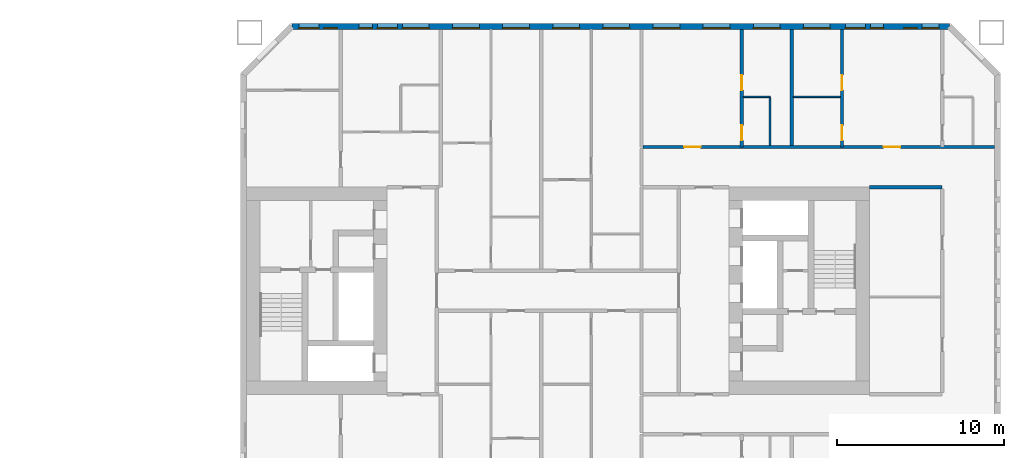
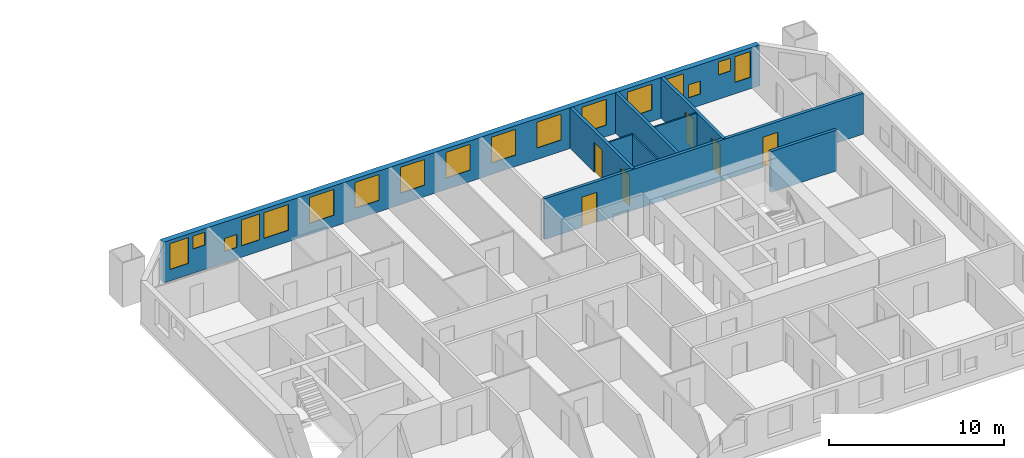
# One storey, part 14 of 17: 17 windows, 9 walls, 6 doors, 23 openings.
"""IFC4 building model written with IfcOpenShell, lengths in metres."""

import ifcopenshell
import ifcopenshell.guid

model = None  # the IFC model being written
_history = None  # IfcOwnerHistory: only IFC2X3 demands one
_inside = {}  # id of a spatial element -> (the spatial element, [elements in it])
_under = {}  # id of a project, library or spatial element -> (it, [spatial elements below it])
_declared = {}  # id of a project -> (the project, [libraries it declares])
_typed = {}  # id of a type object -> (the type object, [elements of that type])
_made_of = {}  # id of a material, layer set ... -> (it, [elements and type objects made of it])


def new_model(schema):
    """Start an empty IFC model of exactly this schema.

    Asked for "IFC4X3", IfcOpenShell would pick the latest addendum, in which some entities
    have other attributes; the version numbers below select the first issue.
    IFC2X3 requires an IfcOwnerHistory on every rooted entity: one is made here for all.
    """
    global model, _history
    if schema == "IFC4X3":
        model = ifcopenshell.file(schema_version=(4, 3, 0, 0))
    else:
        model = ifcopenshell.file(schema=schema)
    _inside.clear()
    _under.clear()
    _declared.clear()
    _typed.clear()
    _made_of.clear()
    _history = None
    if model.schema == "IFC2X3":
        org = make("IfcOrganization", Name="unknown")
        user = make(
            "IfcPersonAndOrganization",
            ThePerson=make("IfcPerson", FamilyName="unknown"),
            TheOrganization=org,
        )
        app = make(
            "IfcApplication",
            ApplicationDeveloper=org,
            Version="unknown",
            ApplicationFullName="unknown",
            ApplicationIdentifier="unknown",
        )
        _history = make(
            "IfcOwnerHistory",
            OwningUser=user,
            OwningApplication=app,
            ChangeAction="ADDED",
            CreationDate=0,
        )
    return model


def make(cls, **values):
    """One entity of the class cls with the attributes given. An attribute that is None is left unset."""
    return model.create_entity(
        cls, **{name: value for name, value in values.items() if value is not None}
    )


def rooted(cls, **values):
    """An entity with a GlobalId (a new one), such as an element, a storey or a relation."""
    return make(cls, GlobalId=ifcopenshell.guid.new(), OwnerHistory=_history, **values)


def si_unit(unit_type, name, prefix=None):
    """IfcSIUnit, for example si_unit("LENGTHUNIT", "METRE", prefix="MILLI")."""
    return make("IfcSIUnit", UnitType=unit_type, Prefix=prefix, Name=name)


def assignment(units):
    """IfcUnitAssignment: the units of a project."""
    return None if units is None else make("IfcUnitAssignment", Units=units)


def point(xyz):
    """IfcCartesianPoint."""
    return None if xyz is None else make("IfcCartesianPoint", Coordinates=xyz)


def direction(xyz):
    """IfcDirection."""
    return None if xyz is None else make("IfcDirection", DirectionRatios=xyz)


def frame(location, z_axis=None, x_axis=None):
    """IfcAxis2Placement3D, a coordinate frame: its origin and axes. An axis left out is left unset."""
    return make(
        "IfcAxis2Placement3D",
        Location=point(location),
        Axis=direction(z_axis),
        RefDirection=direction(x_axis),
    )


def frame_2d(location, x_axis=None):
    """IfcAxis2Placement2D, a coordinate frame in the plane: its origin and x axis."""
    return make(
        "IfcAxis2Placement2D", Location=point(location), RefDirection=direction(x_axis)
    )


def origin():
    """The frame at (0, 0, 0) with its axes left unset."""
    return frame((0.0, 0.0, 0.0))


def place(relative_to, where):
    """IfcLocalPlacement: puts the frame where relative to a parent placement (None: the world)."""
    return make(
        "IfcLocalPlacement", PlacementRelTo=relative_to, RelativePlacement=where
    )


def context(
    kind, dimensions, precision=None, world=None, true_north=None, identifier=None
):
    """IfcGeometricRepresentationContext, for example the 3D "Model" context."""
    return make(
        "IfcGeometricRepresentationContext",
        ContextIdentifier=identifier,
        ContextType=kind,
        CoordinateSpaceDimension=dimensions,
        Precision=precision,
        WorldCoordinateSystem=world,
        TrueNorth=true_north,
    )


def subcontext(parent, identifier, kind, view, scale=None):
    """IfcGeometricRepresentationSubContext, for example "Body" below "Model"."""
    return make(
        "IfcGeometricRepresentationSubContext",
        ContextIdentifier=identifier,
        ContextType=kind,
        ParentContext=parent,
        TargetScale=scale,
        TargetView=view,
    )


def project(units=None, contexts=None):
    """IfcProject with its units and contexts."""
    return rooted(
        "IfcProject",
        Name="project",
        RepresentationContexts=contexts,
        UnitsInContext=assignment(units),
    )


def spatial(cls, under=None, at=None, **own):
    """A site, building, storey or space (cls), placed at a placement, below another one or the project."""
    s = rooted(cls, ObjectPlacement=at, **own)
    if under is not None:
        _under.setdefault(under.id(), (under, []))[1].append(s)
    return s


def profile(cls, at=None, kind="AREA", **sizes):
    """A parametric profile (cls). Its sizes go by their IFC names, for example OverallWidth=200.0."""
    return make(cls, ProfileType=kind, Position=at, **sizes)


def rectangle(**sizes):
    """IfcRectangleProfileDef."""
    return profile("IfcRectangleProfileDef", **sizes)


def extrude(swept, where, along, depth):
    """IfcExtrudedAreaSolid: the profile swept, set in the frame where, extruded along a direction by depth."""
    return make(
        "IfcExtrudedAreaSolid",
        SweptArea=swept,
        Position=where,
        ExtrudedDirection=direction(along),
        Depth=depth,
    )


def shape(context_of_items, identifier, shape_type, items):
    """IfcShapeRepresentation: the items that make up one representation, for example the "Body"."""
    return make(
        "IfcShapeRepresentation",
        ContextOfItems=context_of_items,
        RepresentationIdentifier=identifier,
        RepresentationType=shape_type,
        Items=items,
    )


def material(Name=None, Category=None):
    """IfcMaterial."""
    return make("IfcMaterial", Name=Name, Category=Category)


def layer(
    of_material, thickness, ventilated=None, Name=None, Category=None, Priority=None
):
    """IfcMaterialLayer: one layer of a wall or slab, of a material (None: an air gap)."""
    return make(
        "IfcMaterialLayer",
        Material=of_material,
        LayerThickness=thickness,
        IsVentilated=ventilated,
        Name=Name,
        Category=Category,
        Priority=Priority,
    )


def layer_set(layers, Name=None):
    """IfcMaterialLayerSet."""
    return make("IfcMaterialLayerSet", MaterialLayers=layers, LayerSetName=Name)


def made_of(thing, what):
    """Note that an element or type object is made of a material, layer set ...; save() writes the relation."""
    if what is not None:
        _made_of.setdefault(what.id(), (what, []))[1].append(thing)
    return thing


def type_object(cls, material=None, **own):
    """A type object (cls), such as IfcWallType, which elements share."""
    return made_of(rooted(cls, **own), material)


def element(
    cls,
    number,
    at=None,
    inside=None,
    cuts=None,
    type_object=None,
    material=None,
    context=None,
    identifier="Body",
    shape_type=None,
    held_by="IfcProductDefinitionShape",
    body=None,
    shapes=None,
    **own,
):
    """One element of the class cls, such as IfcWall. Its Tag is "e" and its number.

    at: its placement. inside: the storey or other place that contains it. cuts: it is an
    opening in that element (IfcRelVoidsElement). A single representation is given by context,
    identifier, shape_type and body (its items); several are given by shapes. held_by: the class
    of the entity that holds the representations. save() writes the other relations.
    """
    e = rooted(cls, Tag="e%d" % number, ObjectPlacement=at, **own)
    if body is not None:
        shapes = [shape(context, identifier, shape_type, body)]
    if shapes is not None:
        e.Representation = make(held_by, Representations=shapes)
    if inside is not None:
        _inside.setdefault(inside.id(), (inside, []))[1].append(e)
    if cuts is not None:
        rooted(
            "IfcRelVoidsElement", RelatingBuildingElement=cuts, RelatedOpeningElement=e
        )
    if type_object is not None:
        _typed.setdefault(type_object.id(), (type_object, []))[1].append(e)
    return made_of(e, material)


def fill(opening, filler):
    """IfcRelFillsElement: the door or window that sits in an opening."""
    return rooted(
        "IfcRelFillsElement",
        RelatingOpeningElement=opening,
        RelatedBuildingElement=filler,
    )


def aggregate(whole, parts):
    """IfcRelAggregates: a whole, such as a stair, and the parts it consists of."""
    return rooted("IfcRelAggregates", RelatingObject=whole, RelatedObjects=parts)


def save(model, path):
    """Write the relations noted so far, then the file.

    IfcRelAggregates (storeys below a building ...), IfcRelContainedInSpatialStructure (elements
    in a storey), IfcRelDefinesByType, IfcRelAssociatesMaterial and IfcRelDeclares: one each for
    every whole, place, type object, material and project.
    """
    for whole, parts in _under.values():
        aggregate(whole, parts)
    for where, things in _inside.values():
        rooted(
            "IfcRelContainedInSpatialStructure",
            RelatedElements=things,
            RelatingStructure=where,
        )
    for kind, things in _typed.values():
        rooted("IfcRelDefinesByType", RelatedObjects=things, RelatingType=kind)
    for what, things in _made_of.values():
        rooted("IfcRelAssociatesMaterial", RelatedObjects=things, RelatingMaterial=what)
    for by, libraries in _declared.values():
        rooted("IfcRelDeclares", RelatingContext=by, RelatedDefinitions=libraries)
    model.write(path)


model = new_model("IFC4")

# Units and contexts
model_context = context("Model", 3, precision=1e-05, world=origin(), true_north=direction((0.0, 1.0)))
body_context = subcontext(model_context, "Body", "Model", "MODEL_VIEW")
ifc_project = project(units=[si_unit("LENGTHUNIT", "METRE"), si_unit("AREAUNIT", "SQUARE_METRE"), si_unit("VOLUMEUNIT", "CUBIC_METRE"), si_unit("PLANEANGLEUNIT", "RADIAN"), si_unit("MASSUNIT", "GRAM", prefix="KILO")], contexts=[model_context])

# Site, building, storey
site_placement = place(None, origin())
site = spatial("IfcSite", under=ifc_project, at=site_placement, CompositionType="ELEMENT")
building_placement = place(site_placement, origin())
building = spatial("IfcBuilding", under=site, at=building_placement, Name="Tuart Gate Housing", CompositionType="ELEMENT")
storey_placement = place(building_placement, frame((0.0, 0.0, 47.39990234375)))
storey = spatial("IfcBuildingStorey", under=building, at=storey_placement, Name="L12", CompositionType="ELEMENT", Elevation=47.39990234375)

# Wall, openings, windows
ifc_material_1 = material(Name="Brick", Category="masonry")
ifc_layer_1 = layer(ifc_material_1, 0.360107421875)
ifc_layer_set_1 = layer_set([ifc_layer_1], Name="Brick pier and spandrel wall 360")
wall_type_1 = type_object("IfcWallType", Name="Brick pier and spandrel wall 360", PredefinedType="STANDARD", material=ifc_layer_set_1)
wall_1_placement = place(storey_placement, frame((173.42529296875, 85.820068359375, 0.0), z_axis=(0.0, 0.0, 1.0), x_axis=(-1.0, 0.0, 0.0)))
wall_1 = element("IfcWall", 1, at=wall_1_placement, inside=storey, type_object=wall_type_1, Name="External wall B-N L12", PredefinedType="STANDARD", context=body_context, shape_type="SweptSolid", body=[
    extrude(rectangle(XDim=39.350830078125, YDim=0.360107421875, at=frame_2d((19.67529296875, 0.0))), origin(), (0.0, 0.0, 1.0), 2.85009765625),
])
opening_1_placement = place(wall_1_placement, frame((0.62548828125, 0.0, 0.800048828125)))
opening_1 = element("IfcOpeningElement", 2, at=opening_1_placement, cuts=wall_1, Name="Opening W1C", PredefinedType="OPENING", context=body_context, shape_type="SweptSolid", body=[
    extrude(rectangle(XDim=1.0, YDim=1.800048828125, at=frame_2d((0.5, 0.89990234375))), frame((0.0, 0.18994140625, 0.0), z_axis=(0.0, -1.0, 0.0), x_axis=(1.0, 0.0, 0.0)), (0.0, 0.0, 1.0), 0.380126953125),
])
opening_2_placement = place(wall_1_placement, frame((1.92529296875, 0.0, 1.699951171875)))
opening_2 = element("IfcOpeningElement", 3, at=opening_2_placement, cuts=wall_1, Name="Opening W1V", PredefinedType="OPENING", context=body_context, shape_type="SweptSolid", body=[
    extrude(rectangle(XDim=0.800048828125, YDim=0.89990234375, at=frame_2d((0.39990234375, 0.449951171875))), frame((0.0, 0.18994140625, 0.0), z_axis=(0.0, -1.0, 0.0), x_axis=(1.0, 0.0, 0.0)), (0.0, 0.0, 1.0), 0.380126953125),
])
opening_3_placement = place(wall_1_placement, frame((7.12548828125, 0.0, 0.800048828125)))
opening_3 = element("IfcOpeningElement", 4, at=opening_3_placement, cuts=wall_1, Name="Opening W1", PredefinedType="OPENING", context=body_context, shape_type="SweptSolid", body=[
    extrude(rectangle(XDim=1.60009765625, YDim=1.800048828125, at=frame_2d((0.800048828125, 0.89990234375))), frame((0.0, 0.18994140625, 0.0), z_axis=(0.0, -1.0, 0.0), x_axis=(1.0, 0.0, 0.0)), (0.0, 0.0, 1.0), 0.380126953125),
])
opening_4_placement = place(wall_1_placement, frame((10.12548828125, 0.0, 0.800048828125)))
opening_4 = element("IfcOpeningElement", 5, at=opening_4_placement, cuts=wall_1, Name="Opening W1", PredefinedType="OPENING", context=body_context, shape_type="SweptSolid", body=[
    extrude(rectangle(XDim=1.60009765625, YDim=1.800048828125, at=frame_2d((0.800048828125, 0.89990234375))), frame((0.0, 0.18994140625, 0.0), z_axis=(0.0, -1.0, 0.0), x_axis=(1.0, 0.0, 0.0)), (0.0, 0.0, 1.0), 0.380126953125),
])
opening_5_placement = place(wall_1_placement, frame((13.12548828125, 0.0, 0.800048828125)))
opening_5 = element("IfcOpeningElement", 6, at=opening_5_placement, cuts=wall_1, Name="Opening W1", PredefinedType="OPENING", context=body_context, shape_type="SweptSolid", body=[
    extrude(rectangle(XDim=1.60009765625, YDim=1.800048828125, at=frame_2d((0.800048828125, 0.89990234375))), frame((0.0, 0.18994140625, 0.0), z_axis=(0.0, -1.0, 0.0), x_axis=(1.0, 0.0, 0.0)), (0.0, 0.0, 1.0), 0.380126953125),
])
opening_6_placement = place(wall_1_placement, frame((16.12548828125, 0.0, 0.800048828125)))
opening_6 = element("IfcOpeningElement", 7, at=opening_6_placement, cuts=wall_1, Name="Opening W1", PredefinedType="OPENING", context=body_context, shape_type="SweptSolid", body=[
    extrude(rectangle(XDim=1.60009765625, YDim=1.800048828125, at=frame_2d((0.800048828125, 0.89990234375))), frame((0.0, 0.18994140625, 0.0), z_axis=(0.0, -1.0, 0.0), x_axis=(1.0, 0.0, 0.0)), (0.0, 0.0, 1.0), 0.380126953125),
])
opening_7_placement = place(wall_1_placement, frame((19.12548828125, 0.0, 0.800048828125)))
opening_7 = element("IfcOpeningElement", 8, at=opening_7_placement, cuts=wall_1, Name="Opening W1", PredefinedType="OPENING", context=body_context, shape_type="SweptSolid", body=[
    extrude(rectangle(XDim=1.60009765625, YDim=1.800048828125, at=frame_2d((0.800048828125, 0.89990234375))), frame((0.0, 0.18994140625, 0.0), z_axis=(0.0, -1.0, 0.0), x_axis=(1.0, 0.0, 0.0)), (0.0, 0.0, 1.0), 0.380126953125),
])
opening_8_placement = place(wall_1_placement, frame((22.12548828125, 0.0, 0.800048828125)))
opening_8 = element("IfcOpeningElement", 9, at=opening_8_placement, cuts=wall_1, Name="Opening W1", PredefinedType="OPENING", context=body_context, shape_type="SweptSolid", body=[
    extrude(rectangle(XDim=1.60009765625, YDim=1.800048828125, at=frame_2d((0.800048828125, 0.89990234375))), frame((0.0, 0.18994140625, 0.0), z_axis=(0.0, -1.0, 0.0), x_axis=(1.0, 0.0, 0.0)), (0.0, 0.0, 1.0), 0.380126953125),
])
opening_9_placement = place(wall_1_placement, frame((25.12548828125, 0.0, 0.800048828125)))
opening_9 = element("IfcOpeningElement", 10, at=opening_9_placement, cuts=wall_1, Name="Opening W1", PredefinedType="OPENING", context=body_context, shape_type="SweptSolid", body=[
    extrude(rectangle(XDim=1.60009765625, YDim=1.800048828125, at=frame_2d((0.800048828125, 0.89990234375))), frame((0.0, 0.18994140625, 0.0), z_axis=(0.0, -1.0, 0.0), x_axis=(1.0, 0.0, 0.0)), (0.0, 0.0, 1.0), 0.380126953125),
])
opening_10_placement = place(wall_1_placement, frame((28.12548828125, 0.0, 0.800048828125)))
opening_10 = element("IfcOpeningElement", 11, at=opening_10_placement, cuts=wall_1, Name="Opening W1", PredefinedType="OPENING", context=body_context, shape_type="SweptSolid", body=[
    extrude(rectangle(XDim=1.60009765625, YDim=1.800048828125, at=frame_2d((0.800048828125, 0.89990234375))), frame((0.0, 0.18994140625, 0.0), z_axis=(0.0, -1.0, 0.0), x_axis=(1.0, 0.0, 0.0)), (0.0, 0.0, 1.0), 0.380126953125),
])
opening_11_placement = place(wall_1_placement, frame((31.12548828125, 0.0, 0.800048828125)))
opening_11 = element("IfcOpeningElement", 12, at=opening_11_placement, cuts=wall_1, Name="Opening W1", PredefinedType="OPENING", context=body_context, shape_type="SweptSolid", body=[
    extrude(rectangle(XDim=1.60009765625, YDim=1.800048828125, at=frame_2d((0.800048828125, 0.89990234375))), frame((0.0, 0.18994140625, 0.0), z_axis=(0.0, -1.0, 0.0), x_axis=(1.0, 0.0, 0.0)), (0.0, 0.0, 1.0), 0.380126953125),
])
opening_12_placement = place(wall_1_placement, frame((33.025390625, 0.0, 0.800048828125)))
opening_12 = element("IfcOpeningElement", 13, at=opening_12_placement, cuts=wall_1, Name="Opening W1B", PredefinedType="OPENING", context=body_context, shape_type="SweptSolid", body=[
    extrude(rectangle(XDim=1.199951171875, YDim=1.800048828125, at=frame_2d((0.60009765625, 0.89990234375))), frame((0.0, 0.18994140625, 0.0), z_axis=(0.0, -1.0, 0.0), x_axis=(1.0, 0.0, 0.0)), (0.0, 0.0, 1.0), 0.380126953125),
])
opening_13_placement = place(wall_1_placement, frame((36.62548828125, 0.0, 1.699951171875)))
opening_13 = element("IfcOpeningElement", 14, at=opening_13_placement, cuts=wall_1, Name="Opening W1V", PredefinedType="OPENING", context=body_context, shape_type="SweptSolid", body=[
    extrude(rectangle(XDim=0.800048828125, YDim=0.89990234375, at=frame_2d((0.39990234375, 0.449951171875))), frame((0.0, 0.18994140625, 0.0), z_axis=(0.0, -1.0, 0.0), x_axis=(1.0, 0.0, 0.0)), (0.0, 0.0, 1.0), 0.380126953125),
])
opening_14_placement = place(wall_1_placement, frame((3.92529296875, 0.0, 0.800048828125)))
opening_14 = element("IfcOpeningElement", 15, at=opening_14_placement, cuts=wall_1, Name="Opening W1V", PredefinedType="OPENING", context=body_context, shape_type="SweptSolid", body=[
    extrude(rectangle(XDim=0.800048828125, YDim=0.89990234375, at=frame_2d((0.39990234375, 0.449951171875))), frame((0.0, 0.18994140625, 0.0), z_axis=(0.0, -1.0, 0.0), x_axis=(1.0, 0.0, 0.0)), (0.0, 0.0, 1.0), 0.380126953125),
])
opening_15_placement = place(wall_1_placement, frame((5.025390625, 0.0, 0.800048828125)))
opening_15 = element("IfcOpeningElement", 16, at=opening_15_placement, cuts=wall_1, Name="Opening W1B", PredefinedType="OPENING", context=body_context, shape_type="SweptSolid", body=[
    extrude(rectangle(XDim=1.199951171875, YDim=1.800048828125, at=frame_2d((0.60009765625, 0.89990234375))), frame((0.0, 0.18994140625, 0.0), z_axis=(0.0, -1.0, 0.0), x_axis=(1.0, 0.0, 0.0)), (0.0, 0.0, 1.0), 0.380126953125),
])
opening_16_placement = place(wall_1_placement, frame((34.525390625, 0.0, 0.800048828125)))
opening_16 = element("IfcOpeningElement", 17, at=opening_16_placement, cuts=wall_1, Name="Opening W1V", PredefinedType="OPENING", context=body_context, shape_type="SweptSolid", body=[
    extrude(rectangle(XDim=0.800048828125, YDim=0.89990234375, at=frame_2d((0.39990234375, 0.449951171875))), frame((0.0, 0.18994140625, 0.0), z_axis=(0.0, -1.0, 0.0), x_axis=(1.0, 0.0, 0.0)), (0.0, 0.0, 1.0), 0.380126953125),
])
opening_17_placement = place(wall_1_placement, frame((37.725341796875, 0.0, 0.800048828125)))
opening_17 = element("IfcOpeningElement", 18, at=opening_17_placement, cuts=wall_1, Name="Opening W1B", PredefinedType="OPENING", context=body_context, shape_type="SweptSolid", body=[
    extrude(rectangle(XDim=1.199951171875, YDim=1.800048828125, at=frame_2d((0.60009765625, 0.89990234375))), frame((0.0, 0.18994140625, 0.0), z_axis=(0.0, -1.0, 0.0), x_axis=(1.0, 0.0, 0.0)), (0.0, 0.0, 1.0), 0.380126953125),
])
ifc_material_2 = material(Name="Aluminium frame with clear glass", Category="aluminium")
window_type_1 = type_object("IfcWindowType", Name="Punched window 1000 x 1800", PartitioningType="SINGLE_PANEL", PredefinedType="WINDOW", material=ifc_material_2)
window_1_placement = place(opening_1_placement, origin())
window_1 = element("IfcWindow", 19, at=window_1_placement, inside=storey, type_object=window_type_1, Name="Window W1C", OverallHeight=1.800048828125, OverallWidth=1.0, PartitioningType="SINGLE_PANEL", PredefinedType="WINDOW", context=body_context, shape_type="SweptSolid", body=[
    extrude(rectangle(XDim=1.0, YDim=1.800048828125, at=frame_2d((0.5, 0.89990234375))), frame((0.0, 0.150146484375, 0.0), z_axis=(0.0, -1.0, 0.0), x_axis=(1.0, 0.0, 0.0)), (0.0, 0.0, 1.0), 0.06005859375),
])
fill(opening_1, window_1)
ifc_material_3 = material(Name="Aluminium frame with clear glass", Category="aluminium")
window_type_2 = type_object("IfcWindowType", Name="Punched window 1200 x 1800", PartitioningType="SINGLE_PANEL", PredefinedType="WINDOW", material=ifc_material_3)
window_2_placement = place(opening_12_placement, origin())
window_2 = element("IfcWindow", 20, at=window_2_placement, inside=storey, type_object=window_type_2, Name="Window W1B", OverallHeight=1.800048828125, OverallWidth=1.199951171875, PartitioningType="SINGLE_PANEL", PredefinedType="WINDOW", context=body_context, shape_type="SweptSolid", body=[
    extrude(rectangle(XDim=1.199951171875, YDim=1.800048828125, at=frame_2d((0.60009765625, 0.89990234375))), frame((0.0, 0.150146484375, 0.0), z_axis=(0.0, -1.0, 0.0), x_axis=(1.0, 0.0, 0.0)), (0.0, 0.0, 1.0), 0.06005859375),
])
fill(opening_12, window_2)
window_3_placement = place(opening_15_placement, origin())
window_3 = element("IfcWindow", 21, at=window_3_placement, inside=storey, type_object=window_type_2, Name="Window W1B", OverallHeight=1.800048828125, OverallWidth=1.199951171875, PartitioningType="SINGLE_PANEL", PredefinedType="WINDOW", context=body_context, shape_type="SweptSolid", body=[
    extrude(rectangle(XDim=1.199951171875, YDim=1.800048828125, at=frame_2d((0.60009765625, 0.89990234375))), frame((0.0, 0.150146484375, 0.0), z_axis=(0.0, -1.0, 0.0), x_axis=(1.0, 0.0, 0.0)), (0.0, 0.0, 1.0), 0.06005859375),
])
fill(opening_15, window_3)
window_4_placement = place(opening_17_placement, origin())
window_4 = element("IfcWindow", 22, at=window_4_placement, inside=storey, type_object=window_type_2, Name="Window W1B", OverallHeight=1.800048828125, OverallWidth=1.199951171875, PartitioningType="SINGLE_PANEL", PredefinedType="WINDOW", context=body_context, shape_type="SweptSolid", body=[
    extrude(rectangle(XDim=1.199951171875, YDim=1.800048828125, at=frame_2d((0.60009765625, 0.89990234375))), frame((0.0, 0.150146484375, 0.0), z_axis=(0.0, -1.0, 0.0), x_axis=(1.0, 0.0, 0.0)), (0.0, 0.0, 1.0), 0.06005859375),
])
fill(opening_17, window_4)
ifc_material_4 = material(Name="Aluminium frame with clear glass", Category="aluminium")
window_type_3 = type_object("IfcWindowType", Name="Punched window 1600 x 1800", PartitioningType="SINGLE_PANEL", PredefinedType="WINDOW", material=ifc_material_4)
window_5_placement = place(opening_3_placement, origin())
window_5 = element("IfcWindow", 23, at=window_5_placement, inside=storey, type_object=window_type_3, Name="Window W1", OverallHeight=1.800048828125, OverallWidth=1.60009765625, PartitioningType="SINGLE_PANEL", PredefinedType="WINDOW", context=body_context, shape_type="SweptSolid", body=[
    extrude(rectangle(XDim=1.60009765625, YDim=1.800048828125, at=frame_2d((0.800048828125, 0.89990234375))), frame((0.0, 0.150146484375, 0.0), z_axis=(0.0, -1.0, 0.0), x_axis=(1.0, 0.0, 0.0)), (0.0, 0.0, 1.0), 0.06005859375),
])
fill(opening_3, window_5)
window_6_placement = place(opening_4_placement, origin())
window_6 = element("IfcWindow", 24, at=window_6_placement, inside=storey, type_object=window_type_3, Name="Window W1", OverallHeight=1.800048828125, OverallWidth=1.60009765625, PartitioningType="SINGLE_PANEL", PredefinedType="WINDOW", context=body_context, shape_type="SweptSolid", body=[
    extrude(rectangle(XDim=1.60009765625, YDim=1.800048828125, at=frame_2d((0.800048828125, 0.89990234375))), frame((0.0, 0.150146484375, 0.0), z_axis=(0.0, -1.0, 0.0), x_axis=(1.0, 0.0, 0.0)), (0.0, 0.0, 1.0), 0.06005859375),
])
fill(opening_4, window_6)
window_7_placement = place(opening_5_placement, origin())
window_7 = element("IfcWindow", 25, at=window_7_placement, inside=storey, type_object=window_type_3, Name="Window W1", OverallHeight=1.800048828125, OverallWidth=1.60009765625, PartitioningType="SINGLE_PANEL", PredefinedType="WINDOW", context=body_context, shape_type="SweptSolid", body=[
    extrude(rectangle(XDim=1.60009765625, YDim=1.800048828125, at=frame_2d((0.800048828125, 0.89990234375))), frame((0.0, 0.150146484375, 0.0), z_axis=(0.0, -1.0, 0.0), x_axis=(1.0, 0.0, 0.0)), (0.0, 0.0, 1.0), 0.06005859375),
])
fill(opening_5, window_7)
window_8_placement = place(opening_6_placement, origin())
window_8 = element("IfcWindow", 26, at=window_8_placement, inside=storey, type_object=window_type_3, Name="Window W1", OverallHeight=1.800048828125, OverallWidth=1.60009765625, PartitioningType="SINGLE_PANEL", PredefinedType="WINDOW", context=body_context, shape_type="SweptSolid", body=[
    extrude(rectangle(XDim=1.60009765625, YDim=1.800048828125, at=frame_2d((0.800048828125, 0.89990234375))), frame((0.0, 0.150146484375, 0.0), z_axis=(0.0, -1.0, 0.0), x_axis=(1.0, 0.0, 0.0)), (0.0, 0.0, 1.0), 0.06005859375),
])
fill(opening_6, window_8)
window_9_placement = place(opening_7_placement, origin())
window_9 = element("IfcWindow", 27, at=window_9_placement, inside=storey, type_object=window_type_3, Name="Window W1", OverallHeight=1.800048828125, OverallWidth=1.60009765625, PartitioningType="SINGLE_PANEL", PredefinedType="WINDOW", context=body_context, shape_type="SweptSolid", body=[
    extrude(rectangle(XDim=1.60009765625, YDim=1.800048828125, at=frame_2d((0.800048828125, 0.89990234375))), frame((0.0, 0.150146484375, 0.0), z_axis=(0.0, -1.0, 0.0), x_axis=(1.0, 0.0, 0.0)), (0.0, 0.0, 1.0), 0.06005859375),
])
fill(opening_7, window_9)
window_10_placement = place(opening_8_placement, origin())
window_10 = element("IfcWindow", 28, at=window_10_placement, inside=storey, type_object=window_type_3, Name="Window W1", OverallHeight=1.800048828125, OverallWidth=1.60009765625, PartitioningType="SINGLE_PANEL", PredefinedType="WINDOW", context=body_context, shape_type="SweptSolid", body=[
    extrude(rectangle(XDim=1.60009765625, YDim=1.800048828125, at=frame_2d((0.800048828125, 0.89990234375))), frame((0.0, 0.150146484375, 0.0), z_axis=(0.0, -1.0, 0.0), x_axis=(1.0, 0.0, 0.0)), (0.0, 0.0, 1.0), 0.06005859375),
])
fill(opening_8, window_10)
window_11_placement = place(opening_9_placement, origin())
window_11 = element("IfcWindow", 29, at=window_11_placement, inside=storey, type_object=window_type_3, Name="Window W1", OverallHeight=1.800048828125, OverallWidth=1.60009765625, PartitioningType="SINGLE_PANEL", PredefinedType="WINDOW", context=body_context, shape_type="SweptSolid", body=[
    extrude(rectangle(XDim=1.60009765625, YDim=1.800048828125, at=frame_2d((0.800048828125, 0.89990234375))), frame((0.0, 0.150146484375, 0.0), z_axis=(0.0, -1.0, 0.0), x_axis=(1.0, 0.0, 0.0)), (0.0, 0.0, 1.0), 0.06005859375),
])
fill(opening_9, window_11)
window_12_placement = place(opening_10_placement, origin())
window_12 = element("IfcWindow", 30, at=window_12_placement, inside=storey, type_object=window_type_3, Name="Window W1", OverallHeight=1.800048828125, OverallWidth=1.60009765625, PartitioningType="SINGLE_PANEL", PredefinedType="WINDOW", context=body_context, shape_type="SweptSolid", body=[
    extrude(rectangle(XDim=1.60009765625, YDim=1.800048828125, at=frame_2d((0.800048828125, 0.89990234375))), frame((0.0, 0.150146484375, 0.0), z_axis=(0.0, -1.0, 0.0), x_axis=(1.0, 0.0, 0.0)), (0.0, 0.0, 1.0), 0.06005859375),
])
fill(opening_10, window_12)
window_13_placement = place(opening_11_placement, origin())
window_13 = element("IfcWindow", 31, at=window_13_placement, inside=storey, type_object=window_type_3, Name="Window W1", OverallHeight=1.800048828125, OverallWidth=1.60009765625, PartitioningType="SINGLE_PANEL", PredefinedType="WINDOW", context=body_context, shape_type="SweptSolid", body=[
    extrude(rectangle(XDim=1.60009765625, YDim=1.800048828125, at=frame_2d((0.800048828125, 0.89990234375))), frame((0.0, 0.150146484375, 0.0), z_axis=(0.0, -1.0, 0.0), x_axis=(1.0, 0.0, 0.0)), (0.0, 0.0, 1.0), 0.06005859375),
])
fill(opening_11, window_13)
ifc_material_5 = material(Name="Aluminium frame with clear glass", Category="aluminium")
window_type_4 = type_object("IfcWindowType", Name="Punched window 800 x 900", PartitioningType="SINGLE_PANEL", PredefinedType="WINDOW", material=ifc_material_5)
window_14_placement = place(opening_2_placement, origin())
window_14 = element("IfcWindow", 32, at=window_14_placement, inside=storey, type_object=window_type_4, Name="Window W1V", OverallHeight=0.89990234375, OverallWidth=0.800048828125, PartitioningType="SINGLE_PANEL", PredefinedType="WINDOW", context=body_context, shape_type="SweptSolid", body=[
    extrude(rectangle(XDim=0.800048828125, YDim=0.89990234375, at=frame_2d((0.39990234375, 0.449951171875))), frame((0.0, 0.150146484375, 0.0), z_axis=(0.0, -1.0, 0.0), x_axis=(1.0, 0.0, 0.0)), (0.0, 0.0, 1.0), 0.06005859375),
])
fill(opening_2, window_14)
window_15_placement = place(opening_13_placement, origin())
window_15 = element("IfcWindow", 33, at=window_15_placement, inside=storey, type_object=window_type_4, Name="Window W1V", OverallHeight=0.89990234375, OverallWidth=0.800048828125, PartitioningType="SINGLE_PANEL", PredefinedType="WINDOW", context=body_context, shape_type="SweptSolid", body=[
    extrude(rectangle(XDim=0.800048828125, YDim=0.89990234375, at=frame_2d((0.39990234375, 0.449951171875))), frame((0.0, 0.150146484375, 0.0), z_axis=(0.0, -1.0, 0.0), x_axis=(1.0, 0.0, 0.0)), (0.0, 0.0, 1.0), 0.06005859375),
])
fill(opening_13, window_15)
window_16_placement = place(opening_14_placement, origin())
window_16 = element("IfcWindow", 34, at=window_16_placement, inside=storey, type_object=window_type_4, Name="Window W1V", OverallHeight=0.89990234375, OverallWidth=0.800048828125, PartitioningType="SINGLE_PANEL", PredefinedType="WINDOW", context=body_context, shape_type="SweptSolid", body=[
    extrude(rectangle(XDim=0.800048828125, YDim=0.89990234375, at=frame_2d((0.39990234375, 0.449951171875))), frame((0.0, 0.150146484375, 0.0), z_axis=(0.0, -1.0, 0.0), x_axis=(1.0, 0.0, 0.0)), (0.0, 0.0, 1.0), 0.06005859375),
])
fill(opening_14, window_16)
window_17_placement = place(opening_16_placement, origin())
window_17 = element("IfcWindow", 35, at=window_17_placement, inside=storey, type_object=window_type_4, Name="Window W1V", OverallHeight=0.89990234375, OverallWidth=0.800048828125, PartitioningType="SINGLE_PANEL", PredefinedType="WINDOW", context=body_context, shape_type="SweptSolid", body=[
    extrude(rectangle(XDim=0.800048828125, YDim=0.89990234375, at=frame_2d((0.39990234375, 0.449951171875))), frame((0.0, 0.150146484375, 0.0), z_axis=(0.0, -1.0, 0.0), x_axis=(1.0, 0.0, 0.0)), (0.0, 0.0, 1.0), 0.06005859375),
])
fill(opening_16, window_17)

# Wall
ifc_material_6 = material(Name="Concrete masonry 15 MPa", Category="masonry")
ifc_layer_2 = layer(ifc_material_6, 0.199951171875)
ifc_layer_set_2 = layer_set([ifc_layer_2], Name="Corridor wall masonry 200")
wall_type_2 = type_object("IfcWallType", Name="Corridor wall masonry 200", PredefinedType="PARTITIONING", material=ifc_layer_set_2)
wall_2_placement = place(storey_placement, frame((168.639892578125, 76.199951171875, 0.0), z_axis=(0.0, 0.0, 1.0), x_axis=(1.0, 0.0, 0.0)))
element("IfcWall", 36, at=wall_2_placement, inside=storey, type_object=wall_type_2, Name="Corridor wall masonry 200", PredefinedType="PARTITIONING", context=body_context, shape_type="SweptSolid", body=[
    extrude(rectangle(XDim=4.360107421875, YDim=0.199951171875, at=frame_2d((2.18017578125, 0.0))), origin(), (0.0, 0.0, 1.0), 2.85009765625),
])

# Wall, openings, doors
wall_3_placement = place(storey_placement, frame((155.10009765625, 78.60009765625, 0.0), z_axis=(0.0, 0.0, 1.0), x_axis=(1.0, 0.0, 0.0)))
wall_3 = element("IfcWall", 37, at=wall_3_placement, inside=storey, type_object=wall_type_2, Name="Corridor wall masonry 200", PredefinedType="PARTITIONING", context=body_context, shape_type="SweptSolid", body=[
    extrude(rectangle(XDim=21.039794921875, YDim=0.199951171875, at=frame_2d((10.52001953125, 0.0))), origin(), (0.0, 0.0, 1.0), 2.85009765625),
])
opening_18_placement = place(wall_3_placement, frame((2.449951171875, 0.0, 0.0)))
opening_18 = element("IfcOpeningElement", 38, at=opening_18_placement, cuts=wall_3, Name="Opening D667", PredefinedType="OPENING", context=body_context, shape_type="SweptSolid", body=[
    extrude(rectangle(XDim=1.0, YDim=2.10009765625, at=frame_2d((0.5, 1.050048828125))), frame((0.0, 0.10986328125, 0.0), z_axis=(0.0, -1.0, 0.0), x_axis=(1.0, 0.0, 0.0)), (0.0, 0.0, 1.0), 0.219970703125),
])
opening_19_placement = place(wall_3_placement, frame((14.39990234375, 0.0, 0.0)))
opening_19 = element("IfcOpeningElement", 39, at=opening_19_placement, cuts=wall_3, Name="Opening D668", PredefinedType="OPENING", context=body_context, shape_type="SweptSolid", body=[
    extrude(rectangle(XDim=1.0, YDim=2.10009765625, at=frame_2d((0.5, 1.050048828125))), frame((0.0, 0.10986328125, 0.0), z_axis=(0.0, -1.0, 0.0), x_axis=(1.0, 0.0, 0.0)), (0.0, 0.0, 1.0), 0.219970703125),
])
ifc_material_7 = material(Name="Timber door leaf in steel frame", Category="steel")
door_type_1 = type_object("IfcDoorType", Name="Flat entrance door 1000", OperationType="SINGLE_SWING_LEFT", PredefinedType="DOOR", material=ifc_material_7)
door_1_placement = place(opening_19_placement, origin())
door_1 = element("IfcDoor", 40, at=door_1_placement, inside=storey, type_object=door_type_1, Name="Flat entrance door", OperationType="SINGLE_SWING_LEFT", OverallHeight=2.10009765625, OverallWidth=1.0, PredefinedType="DOOR", context=body_context, shape_type="SweptSolid", body=[
    extrude(rectangle(XDim=1.0, YDim=2.10009765625, at=frame_2d((0.5, 1.050048828125))), frame((0.0, 0.02490234375, 0.0), z_axis=(0.0, -1.0, 0.0), x_axis=(1.0, 0.0, 0.0)), (0.0, 0.0, 1.0), 0.050048828125),
])
fill(opening_19, door_1)
ifc_material_8 = material(Name="Timber door leaf in steel frame", Category="steel")
door_type_2 = type_object("IfcDoorType", Name="Flat entrance door 1000 RH", OperationType="SINGLE_SWING_RIGHT", PredefinedType="DOOR", material=ifc_material_8)
door_2_placement = place(opening_18_placement, origin())
door_2 = element("IfcDoor", 41, at=door_2_placement, inside=storey, type_object=door_type_2, Name="Flat entrance door", OperationType="SINGLE_SWING_RIGHT", OverallHeight=2.10009765625, OverallWidth=1.0, PredefinedType="DOOR", context=body_context, shape_type="SweptSolid", body=[
    extrude(rectangle(XDim=1.0, YDim=2.10009765625, at=frame_2d((0.5, 1.050048828125))), frame((0.0, 0.02490234375, 0.0), z_axis=(0.0, -1.0, 0.0), x_axis=(1.0, 0.0, 0.0)), (0.0, 0.0, 1.0), 0.050048828125),
])
fill(opening_18, door_2)

# Walls
ifc_material_9 = material(Name="Gypsum board on steel studs", Category="steel")
ifc_layer_3 = layer(ifc_material_9, 0.10009765625)
ifc_layer_set_3 = layer_set([ifc_layer_3], Name="Partition 100")
wall_type_3 = type_object("IfcWallType", Name="Partition 100", PredefinedType="PARTITIONING", material=ifc_layer_set_3)
wall_4_placement = place(storey_placement, frame((161.10009765625, 81.60009765625, 0.0), z_axis=(0.0, 0.0, 1.0), x_axis=(1.0, 0.0, 0.0)))
element("IfcWall", 42, at=wall_4_placement, inside=storey, type_object=wall_type_3, Name="Partition 100", PredefinedType="PARTITIONING", context=body_context, shape_type="SweptSolid", body=[
    extrude(rectangle(XDim=1.599853515625, YDim=0.10009765625, at=frame_2d((0.7998046875, 0.0))), origin(), (0.0, 0.0, 1.0), 2.85009765625),
])
wall_5_placement = place(storey_placement, frame((164.10009765625, 81.60009765625, 0.0), z_axis=(0.0, 0.0, 1.0), x_axis=(1.0, 0.0, 0.0)))
element("IfcWall", 43, at=wall_5_placement, inside=storey, type_object=wall_type_3, Name="Partition 100", PredefinedType="PARTITIONING", context=body_context, shape_type="SweptSolid", body=[
    extrude(rectangle(XDim=2.7998046875, YDim=0.10009765625, at=frame_2d((1.39990234375, 0.0))), origin(), (0.0, 0.0, 1.0), 2.85009765625),
])
wall_6_placement = place(storey_placement, frame((162.699951171875, 78.699951171875, 0.0), z_axis=(0.0, 0.0, 1.0), x_axis=(0.0, 1.0, 0.0)))
element("IfcWall", 44, at=wall_6_placement, inside=storey, type_object=wall_type_3, Name="Partition 100", PredefinedType="PARTITIONING", context=body_context, shape_type="SweptSolid", body=[
    extrude(rectangle(XDim=2.85009765625, YDim=0.10009765625, at=frame_2d((1.425048828125, 0.0))), origin(), (0.0, 0.0, 1.0), 2.85009765625),
])

# Wall, openings, doors
ifc_material_10 = material(Name="Concrete C40", Category="concrete")
ifc_layer_4 = layer(ifc_material_10, 0.199951171875)
ifc_layer_set_4 = layer_set([ifc_layer_4], Name="Party wall concrete C40 200")
wall_type_4 = type_object("IfcWallType", Name="Party wall concrete C40 200", PredefinedType="SOLIDWALL", material=ifc_layer_set_4)
wall_7_placement = place(storey_placement, frame((161.0, 78.60009765625, 0.0), z_axis=(0.0, 0.0, 1.0), x_axis=(0.0, 1.0, 0.0)))
wall_7 = element("IfcWall", 45, at=wall_7_placement, inside=storey, type_object=wall_type_4, Name="Party wall concrete C40 200", PredefinedType="SOLIDWALL", context=body_context, shape_type="SweptSolid", body=[
    extrude(rectangle(XDim=7.039794921875, YDim=0.199951171875, at=frame_2d((3.52001953125, 0.0))), origin(), (0.0, 0.0, 1.0), 2.85009765625),
])
opening_20_placement = place(wall_7_placement, frame((3.39990234375, 0.0, 0.0)))
opening_20 = element("IfcOpeningElement", 46, at=opening_20_placement, cuts=wall_7, Name="Opening D657", PredefinedType="OPENING", context=body_context, shape_type="SweptSolid", body=[
    extrude(rectangle(XDim=0.89990234375, YDim=2.10009765625, at=frame_2d((0.449951171875, 1.050048828125))), frame((0.0, 0.10986328125, 0.0), z_axis=(0.0, -1.0, 0.0), x_axis=(1.0, 0.0, 0.0)), (0.0, 0.0, 1.0), 0.219970703125),
])
opening_21_placement = place(wall_7_placement, frame((0.39990234375, 0.0, 0.0)))
opening_21 = element("IfcOpeningElement", 47, at=opening_21_placement, cuts=wall_7, Name="Opening D656", PredefinedType="OPENING", context=body_context, shape_type="SweptSolid", body=[
    extrude(rectangle(XDim=0.89990234375, YDim=2.10009765625, at=frame_2d((0.449951171875, 1.050048828125))), frame((0.0, 0.10986328125, 0.0), z_axis=(0.0, -1.0, 0.0), x_axis=(1.0, 0.0, 0.0)), (0.0, 0.0, 1.0), 0.219970703125),
])
ifc_material_11 = material(Name="Timber door leaf in steel frame", Category="steel")
door_type_3 = type_object("IfcDoorType", Name="Bathroom door 900 RH", OperationType="SINGLE_SWING_RIGHT", PredefinedType="DOOR", material=ifc_material_11)
door_3_placement = place(opening_21_placement, frame((0.89990234375, 0.0, 0.0), z_axis=(0.0, 0.0, 1.0), x_axis=(-1.0, 0.0, 0.0)))
door_3 = element("IfcDoor", 48, at=door_3_placement, inside=storey, type_object=door_type_3, Name="Bathroom door", OperationType="SINGLE_SWING_RIGHT", OverallHeight=2.10009765625, OverallWidth=0.89990234375, PredefinedType="DOOR", context=body_context, shape_type="SweptSolid", body=[
    extrude(rectangle(XDim=0.89990234375, YDim=2.10009765625, at=frame_2d((0.449951171875, 1.050048828125))), frame((0.0, 0.025146484375, 0.0), z_axis=(0.0, -1.0, 0.0), x_axis=(1.0, 0.0, 0.0)), (0.0, 0.0, 1.0), 0.050048828125),
])
fill(opening_21, door_3)
ifc_material_12 = material(Name="Timber door leaf in steel frame", Category="steel")
door_type_4 = type_object("IfcDoorType", Name="Internal door 900 RH", OperationType="SINGLE_SWING_RIGHT", PredefinedType="DOOR", material=ifc_material_12)
door_4_placement = place(opening_20_placement, frame((0.89990234375, 0.0, 0.0), z_axis=(0.0, 0.0, 1.0), x_axis=(-1.0, 0.0, 0.0)))
door_4 = element("IfcDoor", 49, at=door_4_placement, inside=storey, type_object=door_type_4, Name="Internal door", OperationType="SINGLE_SWING_RIGHT", OverallHeight=2.10009765625, OverallWidth=0.89990234375, PredefinedType="DOOR", context=body_context, shape_type="SweptSolid", body=[
    extrude(rectangle(XDim=0.89990234375, YDim=2.10009765625, at=frame_2d((0.449951171875, 1.050048828125))), frame((0.0, 0.025146484375, 0.0), z_axis=(0.0, -1.0, 0.0), x_axis=(1.0, 0.0, 0.0)), (0.0, 0.0, 1.0), 0.050048828125),
])
fill(opening_20, door_4)

wall_8_placement = place(storey_placement, frame((167.0, 78.60009765625, 0.0), z_axis=(0.0, 0.0, 1.0), x_axis=(0.0, 1.0, 0.0)))
wall_8 = element("IfcWall", 50, at=wall_8_placement, inside=storey, type_object=wall_type_4, Name="Party wall concrete C40 200", PredefinedType="SOLIDWALL", context=body_context, shape_type="SweptSolid", body=[
    extrude(rectangle(XDim=7.039794921875, YDim=0.199951171875, at=frame_2d((3.52001953125, 0.0))), origin(), (0.0, 0.0, 1.0), 2.85009765625),
])
opening_22_placement = place(wall_8_placement, frame((3.39990234375, 0.0, 0.0)))
opening_22 = element("IfcOpeningElement", 51, at=opening_22_placement, cuts=wall_8, Name="Opening D659", PredefinedType="OPENING", context=body_context, shape_type="SweptSolid", body=[
    extrude(rectangle(XDim=0.89990234375, YDim=2.10009765625, at=frame_2d((0.449951171875, 1.050048828125))), frame((0.0, 0.10986328125, 0.0), z_axis=(0.0, -1.0, 0.0), x_axis=(1.0, 0.0, 0.0)), (0.0, 0.0, 1.0), 0.219970703125),
])
opening_23_placement = place(wall_8_placement, frame((0.39990234375, 0.0, 0.0)))
opening_23 = element("IfcOpeningElement", 52, at=opening_23_placement, cuts=wall_8, Name="Opening D658", PredefinedType="OPENING", context=body_context, shape_type="SweptSolid", body=[
    extrude(rectangle(XDim=0.89990234375, YDim=2.10009765625, at=frame_2d((0.449951171875, 1.050048828125))), frame((0.0, 0.10986328125, 0.0), z_axis=(0.0, -1.0, 0.0), x_axis=(1.0, 0.0, 0.0)), (0.0, 0.0, 1.0), 0.219970703125),
])
ifc_material_13 = material(Name="Timber door leaf in steel frame", Category="steel")
door_type_5 = type_object("IfcDoorType", Name="Bathroom door 900", OperationType="SINGLE_SWING_LEFT", PredefinedType="DOOR", material=ifc_material_13)
door_5_placement = place(opening_23_placement, origin())
door_5 = element("IfcDoor", 53, at=door_5_placement, inside=storey, type_object=door_type_5, Name="Bathroom door", OperationType="SINGLE_SWING_LEFT", OverallHeight=2.10009765625, OverallWidth=0.89990234375, PredefinedType="DOOR", context=body_context, shape_type="SweptSolid", body=[
    extrude(rectangle(XDim=0.89990234375, YDim=2.10009765625, at=frame_2d((0.449951171875, 1.050048828125))), frame((0.0, 0.02490234375, 0.0), z_axis=(0.0, -1.0, 0.0), x_axis=(1.0, 0.0, 0.0)), (0.0, 0.0, 1.0), 0.050048828125),
])
fill(opening_23, door_5)
ifc_material_14 = material(Name="Timber door leaf in steel frame", Category="steel")
door_type_6 = type_object("IfcDoorType", Name="Internal door 900", OperationType="SINGLE_SWING_LEFT", PredefinedType="DOOR", material=ifc_material_14)
door_6_placement = place(opening_22_placement, origin())
door_6 = element("IfcDoor", 54, at=door_6_placement, inside=storey, type_object=door_type_6, Name="Internal door", OperationType="SINGLE_SWING_LEFT", OverallHeight=2.10009765625, OverallWidth=0.89990234375, PredefinedType="DOOR", context=body_context, shape_type="SweptSolid", body=[
    extrude(rectangle(XDim=0.89990234375, YDim=2.10009765625, at=frame_2d((0.449951171875, 1.050048828125))), frame((0.0, 0.02490234375, 0.0), z_axis=(0.0, -1.0, 0.0), x_axis=(1.0, 0.0, 0.0)), (0.0, 0.0, 1.0), 0.050048828125),
])
fill(opening_22, door_6)

# Wall
ifc_material_15 = material(Name="Concrete masonry 15 MPa", Category="masonry")
ifc_layer_5 = layer(ifc_material_15, 0.199951171875)
ifc_layer_set_5 = layer_set([ifc_layer_5], Name="Party wall masonry 200")
wall_type_5 = type_object("IfcWallType", Name="Party wall masonry 200", PredefinedType="PARTITIONING", material=ifc_layer_set_5)
wall_9_placement = place(storey_placement, frame((164.0, 78.699951171875, 0.0), z_axis=(0.0, 0.0, 1.0), x_axis=(0.0, 1.0, 0.0)))
element("IfcWall", 55, at=wall_9_placement, inside=storey, type_object=wall_type_5, Name="Party wall masonry 200", PredefinedType="PARTITIONING", context=body_context, shape_type="SweptSolid", body=[
    extrude(rectangle(XDim=6.93994140625, YDim=0.199951171875, at=frame_2d((3.469970703125, 0.0))), origin(), (0.0, 0.0, 1.0), 2.85009765625),
])

save(model, "model.ifc")
